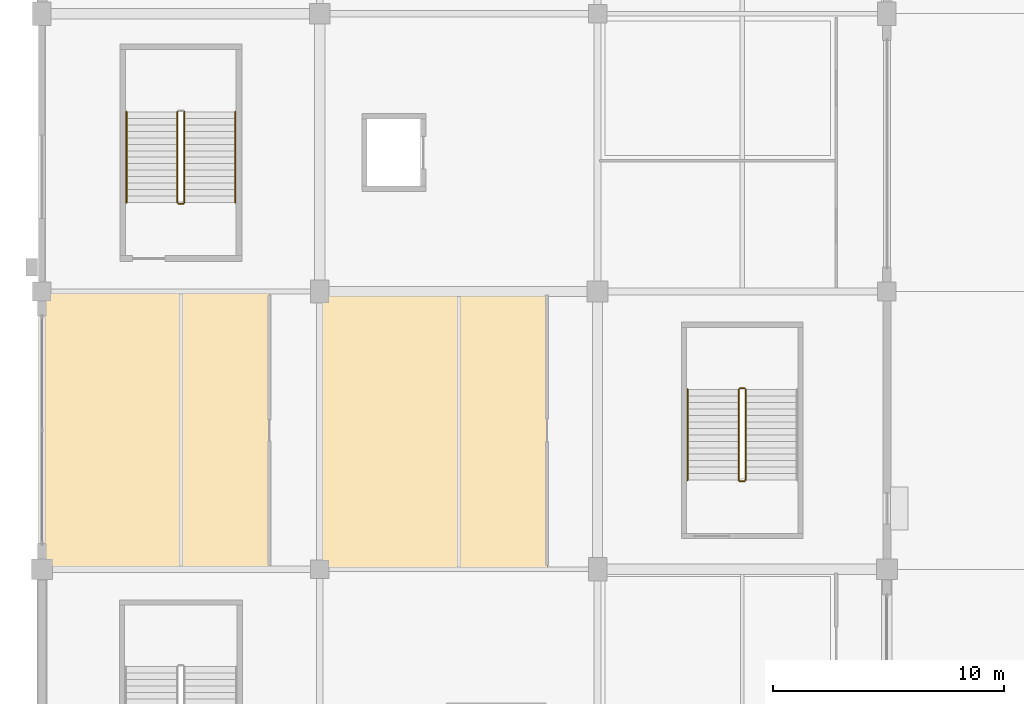
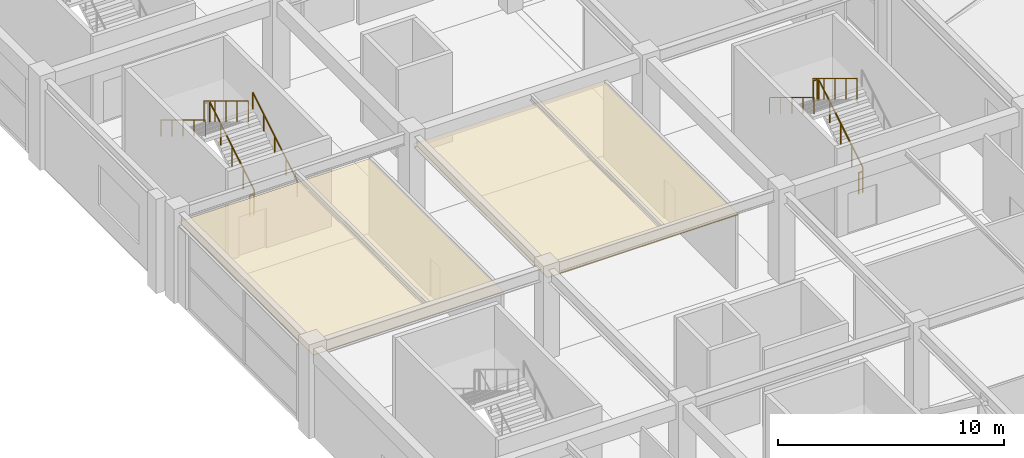
# One storey, part 98 of 116: 10 railings, 2 coverings.
"""IFC4 building model written with IfcOpenShell, lengths in metres."""

from ifc_helpers import new_model, si_unit, direction, frame, origin, origin_2d, place, context, subcontext, project, spatial, polyline, circle, outline, extrude, material, layer, layer_set, type_object, element, save


model = new_model("IFC4")

# Units and contexts
model_context = context("Model", 3, precision=1e-05, world=origin(), true_north=direction((0.0, 1.0)))
body_context = subcontext(model_context, "Body", "Model", "MODEL_VIEW")
ifc_project = project(units=[si_unit("LENGTHUNIT", "METRE"), si_unit("AREAUNIT", "SQUARE_METRE"), si_unit("VOLUMEUNIT", "CUBIC_METRE"), si_unit("PLANEANGLEUNIT", "RADIAN"), si_unit("MASSUNIT", "GRAM", prefix="KILO")], contexts=[model_context])

# Site, building, storey
site_placement = place(None, origin())
site = spatial("IfcSite", under=ifc_project, at=site_placement, CompositionType="ELEMENT")
building_placement = place(site_placement, origin())
building = spatial("IfcBuilding", under=site, at=building_placement, Name="Kazenohara Klinker Stadium", CompositionType="ELEMENT")
storey_placement = place(building_placement, frame((0.0, 0.0, 10.199951171875)))
storey = spatial("IfcBuildingStorey", under=building, at=storey_placement, Name="L02", CompositionType="ELEMENT", Elevation=10.199951171875)

# Coverings
ifc_material_1 = material(Name="Perforated acoustic mineral-fibre ceiling tile", Category="gypsum")
ifc_layer_1 = layer(ifc_material_1, 0.030029296875)
ifc_layer_set_1 = layer_set([ifc_layer_1], Name="Perforated acoustic mineral-fibre ceiling tile")
covering_type_1 = type_object("IfcCoveringType", Name="COV-CEIL-01", PredefinedType="CEILING", material=ifc_layer_set_1)
covering_1_placement = place(storey_placement, frame((0.0, 0.0, 4.050048828125)))
element("IfcCovering", 1, at=covering_1_placement, inside=storey, type_object=covering_type_1, Name="Suspended acoustic ceiling CL01 Civic Sports Archive Reading Room L02-0010A", PredefinedType="CEILING", context=body_context, shape_type="SweptSolid", body=[
    extrude(outline(polyline([(0.06005859375, 120.0400390625), (9.840087890625, 120.0400390625), (9.840087890625, 131.9599609375), (0.06005859375, 131.9599609375), (0.06005859375, 120.0400390625)])), origin(), (0.0, 0.0, 1.0), 0.030029296875),
])
ifc_material_2 = material(Name="Slatted Hokkaido cedar acoustic baffle ceiling", Category="wood")
ifc_layer_2 = layer(ifc_material_2, 0.0400390625)
ifc_layer_set_2 = layer_set([ifc_layer_2], Name="Slatted Hokkaido cedar acoustic baffle ceiling")
covering_type_2 = type_object("IfcCoveringType", Name="COV-CEIL-02", PredefinedType="CEILING", material=ifc_layer_set_2)
covering_2_placement = place(storey_placement, frame((0.0, 0.0, 4.0400390625)))
element("IfcCovering", 2, at=covering_2_placement, inside=storey, type_object=covering_type_2, Name="Suspended acoustic ceiling CL02 Founders Club Hospitality Lounge L02-0110A", PredefinedType="CEILING", context=body_context, shape_type="SweptSolid", body=[
    extrude(outline(polyline([(12.06005859375, 120.0400390625), (21.840087890625, 120.0400390625), (21.840087890625, 131.9599609375), (12.06005859375, 131.9599609375), (12.06005859375, 120.0400390625)])), origin(), (0.0, 0.0, 1.0), 0.0400390625),
])

# Railings
ifc_material_3 = material(Name="Brushed stainless steel 304 handrail", Category="steel")
ifc_layer_3 = layer(ifc_material_3, 0.050048828125)
ifc_layer_set_3 = layer_set([ifc_layer_3], Name="Brushed stainless steel 304 handrail")
railing_type_1 = type_object("IfcRailingType", Name="RL-HND-900", PredefinedType="HANDRAIL", material=ifc_layer_set_3)
railing_1_placement = place(storey_placement, frame((8.35009765625, 135.840087890625, 0.170166015625)))
element("IfcRailing", 3, at=railing_1_placement, inside=storey, type_object=railing_type_1, Name="L02 ST05 stair handrail 1", PredefinedType="HANDRAIL", context=body_context, shape_type="SweptSolid", body=[
    extrude(circle(Radius=0.02392578125, at=origin_2d()), frame((0.0, 0.0, 0.8759765625), z_axis=(0.0, 0.854794262968, 0.518967020143), x_axis=(-1.0, 0.0, 0.0)), (0.0, 0.0, 1.0), 4.585693359375),
    extrude(circle(Radius=0.02099609375, at=origin_2d()), origin(), (0.0, 0.0, 1.0), 0.851806640625),
    extrude(circle(Radius=0.02099609375, at=origin_2d()), frame((0.0, 0.97998046875, 0.594970703125)), (0.0, 0.0, 1.0), 0.851806640625),
    extrude(circle(Radius=0.02099609375, at=origin_2d()), frame((0.0, 1.9599609375, 1.18994140625)), (0.0, 0.0, 1.0), 0.851806640625),
    extrude(circle(Radius=0.02099609375, at=origin_2d()), frame((0.0, 2.93994140625, 1.784912109375)), (0.0, 0.0, 1.0), 0.851806640625),
    extrude(circle(Radius=0.02099609375, at=origin_2d()), frame((0.0, 3.919921875, 2.3798828125)), (0.0, 0.0, 1.0), 0.851806640625),
])
for number, where, name in (
    (4, (3.64990234375, 139.760009765625, 2.719970703125), "L02 ST05 stair handrail 2"),
    (5, (27.889892578125, 127.77001953125, 2.719970703125), "L02 ST18 stair handrail 2"),
):
    element("IfcRailing", number, at=place(storey_placement, frame(where)), inside=storey, type_object=railing_type_1, Name=name, PredefinedType="HANDRAIL", context=body_context, shape_type="SweptSolid", body=[
        extrude(circle(Radius=0.02392578125, at=origin_2d()), frame((0.0, 0.0, 0.8759765625), z_axis=(0.0, -0.854770645689, 0.519005918337), x_axis=(1.0, 0.0, 0.0)), (0.0, 0.0, 1.0), 4.5859375),
        extrude(circle(Radius=0.02099609375, at=origin_2d()), origin(), (0.0, 0.0, 1.0), 0.851806640625),
        extrude(circle(Radius=0.02099609375, at=origin_2d()), frame((0.0, -0.97998046875, 0.594970703125)), (0.0, 0.0, 1.0), 0.851806640625),
        extrude(circle(Radius=0.02099609375, at=origin_2d()), frame((0.0, -1.9599609375, 1.18994140625)), (0.0, 0.0, 1.0), 0.851806640625),
        extrude(circle(Radius=0.02099609375, at=origin_2d()), frame((0.0, -2.93994140625, 1.78515625)), (0.0, 0.0, 1.0), 0.851806640625),
        extrude(circle(Radius=0.02099609375, at=origin_2d()), frame((0.0, -3.919921875, 2.380126953125)), (0.0, 0.0, 1.0), 0.851806640625),
    ])
ifc_material_4 = material(Name="Painted steel stairwell guardrail", Category="steel")
ifc_layer_4 = layer(ifc_material_4, 0.06005859375)
ifc_layer_set_4 = layer_set([ifc_layer_4], Name="Painted steel stairwell guardrail")
railing_type_2 = type_object("IfcRailingType", Name="RL-STG-1120", PredefinedType="GUARDRAIL", material=ifc_layer_set_4)
railing_2_placement = place(storey_placement, frame((6.14990234375, 135.840087890625, 0.170166015625)))
element("IfcRailing", 6, at=railing_2_placement, inside=storey, type_object=railing_type_2, Name="L02 ST05 stair guard 1", PredefinedType="GUARDRAIL", context=body_context, shape_type="SweptSolid", body=[
    extrude(circle(Radius=0.02392578125, at=origin_2d()), frame((0.0, 0.0, 1.1259765625), z_axis=(0.0, 0.854794262968, 0.518967020143), x_axis=(-1.0, 0.0, 0.0)), (0.0, 0.0, 1.0), 4.585693359375),
    extrude(circle(Radius=0.02099609375, at=origin_2d()), origin(), (0.0, 0.0, 1.0), 1.101806640625),
    extrude(circle(Radius=0.02099609375, at=origin_2d()), frame((0.0, 0.97998046875, 0.594970703125)), (0.0, 0.0, 1.0), 1.101806640625),
    extrude(circle(Radius=0.02099609375, at=origin_2d()), frame((0.0, 1.9599609375, 1.18994140625)), (0.0, 0.0, 1.0), 1.101806640625),
    extrude(circle(Radius=0.02099609375, at=origin_2d()), frame((0.0, 2.93994140625, 1.784912109375)), (0.0, 0.0, 1.0), 1.101806640625),
    extrude(circle(Radius=0.02099609375, at=origin_2d()), frame((0.0, 3.919921875, 2.3798828125)), (0.0, 0.0, 1.0), 1.101806640625),
])
railing_3_placement = place(storey_placement, frame((5.85009765625, 139.760009765625, 2.719970703125)))
element("IfcRailing", 7, at=railing_3_placement, inside=storey, type_object=railing_type_2, Name="L02 ST05 stair guard 3", PredefinedType="GUARDRAIL", context=body_context, shape_type="SweptSolid", body=[
    extrude(circle(Radius=0.02392578125, at=origin_2d()), frame((0.0, 0.0, 1.1259765625), z_axis=(0.0, -0.854770645689, 0.519005918337), x_axis=(1.0, 0.0, 0.0)), (0.0, 0.0, 1.0), 4.5859375),
    extrude(circle(Radius=0.02099609375, at=origin_2d()), origin(), (0.0, 0.0, 1.0), 1.101806640625),
    extrude(circle(Radius=0.02099609375, at=origin_2d()), frame((0.0, -0.97998046875, 0.594970703125)), (0.0, 0.0, 1.0), 1.101806640625),
    extrude(circle(Radius=0.02099609375, at=origin_2d()), frame((0.0, -1.9599609375, 1.18994140625)), (0.0, 0.0, 1.0), 1.101806640625),
    extrude(circle(Radius=0.02099609375, at=origin_2d()), frame((0.0, -2.93994140625, 1.78515625)), (0.0, 0.0, 1.0), 1.101806640625),
    extrude(circle(Radius=0.02099609375, at=origin_2d()), frame((0.0, -3.919921875, 2.380126953125)), (0.0, 0.0, 1.0), 1.101806640625),
])
railing_4_placement = place(storey_placement, frame((6.10009765625, 135.7900390625, 0.0)))
element("IfcRailing", 8, at=railing_4_placement, inside=storey, type_object=railing_type_2, Name="L02 ST05 stair guard 4", PredefinedType="GUARDRAIL", context=body_context, shape_type="SweptSolid", body=[
    extrude(circle(Radius=0.02392578125, at=origin_2d()), frame((0.0, 0.0, 1.1259765625), z_axis=(-1.0, 0.0, 0.0), x_axis=(0.0, -1.0, 0.0)), (0.0, 0.0, 1.0), 0.2001953125),
    extrude(circle(Radius=0.02099609375, at=origin_2d()), origin(), (0.0, 0.0, 1.0), 1.101806640625),
    extrude(circle(Radius=0.02099609375, at=origin_2d()), frame((-0.2001953125, 0.0, 0.0)), (0.0, 0.0, 1.0), 1.101806640625),
])
railing_5_placement = place(storey_placement, frame((30.39990234375, 123.85009765625, 0.170166015625)))
element("IfcRailing", 9, at=railing_5_placement, inside=storey, type_object=railing_type_2, Name="L02 ST18 stair guard 1", PredefinedType="GUARDRAIL", context=body_context, shape_type="SweptSolid", body=[
    extrude(circle(Radius=0.02392578125, at=origin_2d()), frame((0.0, 0.0, 1.1259765625), z_axis=(0.0, 0.854794262968, 0.518967020143), x_axis=(-1.0, 0.0, 0.0)), (0.0, 0.0, 1.0), 4.585693359375),
    extrude(circle(Radius=0.02099609375, at=origin_2d()), origin(), (0.0, 0.0, 1.0), 1.101806640625),
    extrude(circle(Radius=0.02099609375, at=origin_2d()), frame((0.0, 0.97998046875, 0.594970703125)), (0.0, 0.0, 1.0), 1.101806640625),
    extrude(circle(Radius=0.02099609375, at=origin_2d()), frame((0.0, 1.9599609375, 1.18994140625)), (0.0, 0.0, 1.0), 1.101806640625),
    extrude(circle(Radius=0.02099609375, at=origin_2d()), frame((0.0, 2.93994140625, 1.784912109375)), (0.0, 0.0, 1.0), 1.101806640625),
    extrude(circle(Radius=0.02099609375, at=origin_2d()), frame((0.0, 3.919921875, 2.3798828125)), (0.0, 0.0, 1.0), 1.101806640625),
])
railing_6_placement = place(storey_placement, frame((30.35009765625, 127.820068359375, 2.550048828125)))
element("IfcRailing", 10, at=railing_6_placement, inside=storey, type_object=railing_type_2, Name="L02 ST18 stair guard 2", PredefinedType="GUARDRAIL", context=body_context, shape_type="SweptSolid", body=[
    extrude(circle(Radius=0.02392578125, at=origin_2d()), frame((0.0, 0.0, 1.1259765625), z_axis=(-1.0, 0.0, 0.0), x_axis=(0.0, -1.0, 0.0)), (0.0, 0.0, 1.0), 0.2001953125),
    extrude(circle(Radius=0.02099609375, at=origin_2d()), origin(), (0.0, 0.0, 1.0), 1.101806640625),
    extrude(circle(Radius=0.02099609375, at=origin_2d()), frame((-0.2001953125, 0.0, 0.0)), (0.0, 0.0, 1.0), 1.101806640625),
])
railing_7_placement = place(storey_placement, frame((30.10009765625, 127.77001953125, 2.719970703125)))
element("IfcRailing", 11, at=railing_7_placement, inside=storey, type_object=railing_type_2, Name="L02 ST18 stair guard 3", PredefinedType="GUARDRAIL", context=body_context, shape_type="SweptSolid", body=[
    extrude(circle(Radius=0.02392578125, at=origin_2d()), frame((0.0, 0.0, 1.1259765625), z_axis=(0.0, -0.854770645689, 0.519005918337), x_axis=(1.0, 0.0, 0.0)), (0.0, 0.0, 1.0), 4.5859375),
    extrude(circle(Radius=0.02099609375, at=origin_2d()), origin(), (0.0, 0.0, 1.0), 1.101806640625),
    extrude(circle(Radius=0.02099609375, at=origin_2d()), frame((0.0, -0.97998046875, 0.594970703125)), (0.0, 0.0, 1.0), 1.101806640625),
    extrude(circle(Radius=0.02099609375, at=origin_2d()), frame((0.0, -1.9599609375, 1.18994140625)), (0.0, 0.0, 1.0), 1.101806640625),
    extrude(circle(Radius=0.02099609375, at=origin_2d()), frame((0.0, -2.93994140625, 1.78515625)), (0.0, 0.0, 1.0), 1.101806640625),
    extrude(circle(Radius=0.02099609375, at=origin_2d()), frame((0.0, -3.919921875, 2.380126953125)), (0.0, 0.0, 1.0), 1.101806640625),
])
railing_8_placement = place(storey_placement, frame((30.35009765625, 123.800048828125, 0.0)))
element("IfcRailing", 12, at=railing_8_placement, inside=storey, type_object=railing_type_2, Name="L02 ST18 stair guard 4", PredefinedType="GUARDRAIL", context=body_context, shape_type="SweptSolid", body=[
    extrude(circle(Radius=0.02392578125, at=origin_2d()), frame((0.0, 0.0, 1.1259765625), z_axis=(-1.0, 0.0, 0.0), x_axis=(0.0, -1.0, 0.0)), (0.0, 0.0, 1.0), 0.2001953125),
    extrude(circle(Radius=0.02099609375, at=origin_2d()), origin(), (0.0, 0.0, 1.0), 1.101806640625),
    extrude(circle(Radius=0.02099609375, at=origin_2d()), frame((-0.2001953125, 0.0, 0.0)), (0.0, 0.0, 1.0), 1.101806640625),
])

save(model, "model.ifc")
